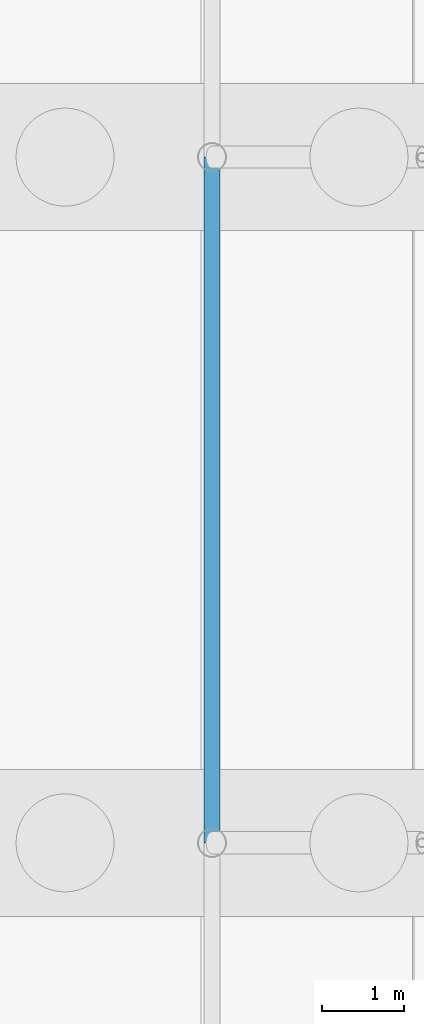
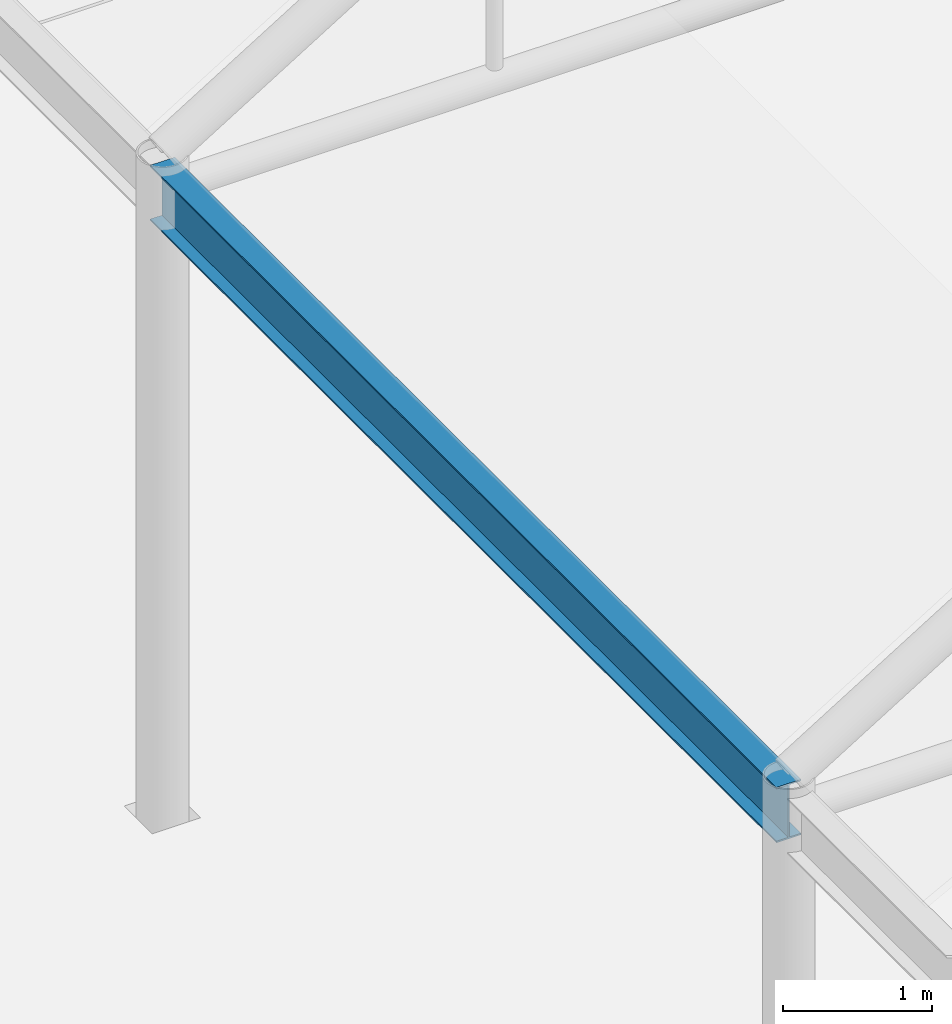
# One storey, part 130 of 212: 1 beam.
"""IFC4 building model written with IfcOpenShell, lengths in metres."""

from ifc_helpers import new_model, si_unit, direction, frame, origin, origin_2d, place, context, subcontext, project, spatial, i_section, extrude, material, material_profile, profile_set, type_object, element, save


model = new_model("IFC4")

# Units and contexts
model_context = context("Model", 3, precision=1e-05, world=origin(), true_north=direction((0.0, 1.0)))
body_context = subcontext(model_context, "Body", "Model", "MODEL_VIEW")
ifc_project = project(units=[si_unit("LENGTHUNIT", "METRE"), si_unit("AREAUNIT", "SQUARE_METRE"), si_unit("VOLUMEUNIT", "CUBIC_METRE"), si_unit("PLANEANGLEUNIT", "RADIAN"), si_unit("MASSUNIT", "GRAM", prefix="KILO")], contexts=[model_context])

# Site, building, storey
site_placement = place(None, origin())
site = spatial("IfcSite", under=ifc_project, at=site_placement, CompositionType="ELEMENT")
building_placement = place(site_placement, origin())
building = spatial("IfcBuilding", under=site, at=building_placement, Name="Catenary Quay Ferry Terminal", CompositionType="ELEMENT")
storey_placement = place(building_placement, origin())
storey = spatial("IfcBuildingStorey", under=building, at=storey_placement, Name="L00", CompositionType="ELEMENT", Elevation=0.0)

# Beam
ifc_material = material(Name="Steel S355", Category="steel")
ifc_material_profile = material_profile(ifc_material, i_section(OverallWidth=0.18994140625, OverallDepth=0.453369140625, WebThickness=0.008544921875, FlangeThickness=0.0126953125, at=origin_2d()), Name="UB 457x191x67")
ifc_profile_set = profile_set([ifc_material_profile], Name="Steel S355")
beam_type = type_object("IfcBeamType", Name="B1 UB 457x191x67", PredefinedType="BEAM", material=ifc_profile_set)
beam_placement = place(storey_placement, frame((8.39990234375, 134.39990234375, 5.10009765625), z_axis=(0.0, 1.0, 0.0), x_axis=(-1.0, 0.0, 0.0)))
element("IfcBeam", 1, at=beam_placement, inside=storey, type_object=beam_type, Name="Eaves beam B-FB9", PredefinedType="BEAM", context=body_context, shape_type="SweptSolid", body=[
    extrude(i_section(OverallWidth=0.18994140625, OverallDepth=0.453369140625, WebThickness=0.008544921875, FlangeThickness=0.0126953125, at=origin_2d()), origin(), (0.0, 0.0, 1.0), 8.400146484375),
])

save(model, "model.ifc")
